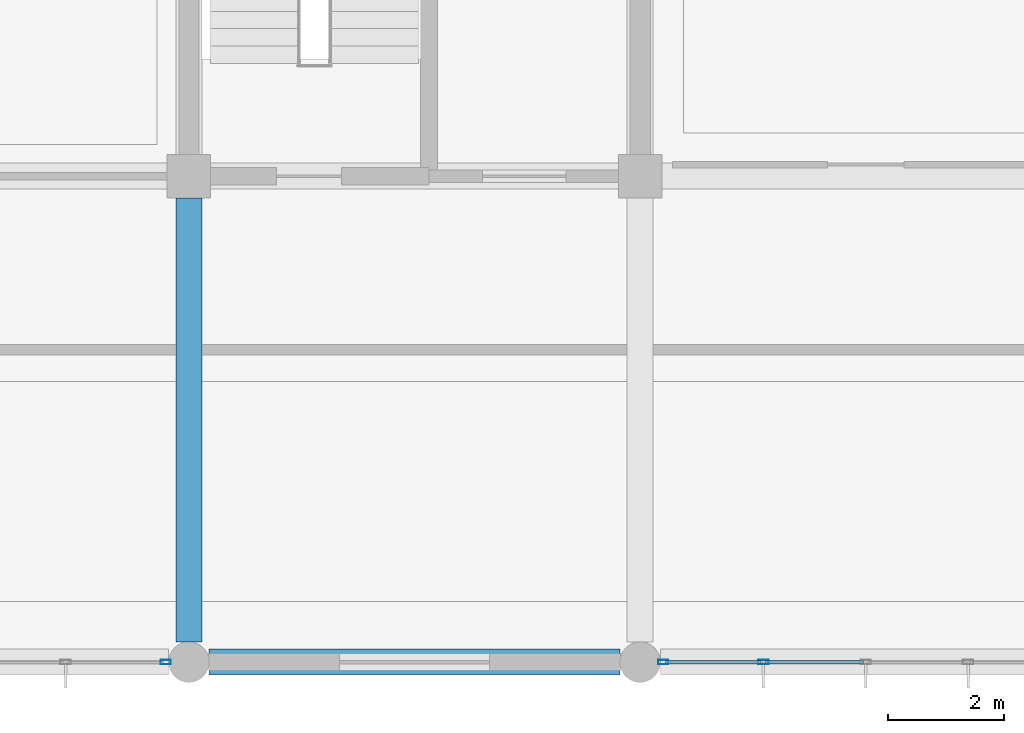
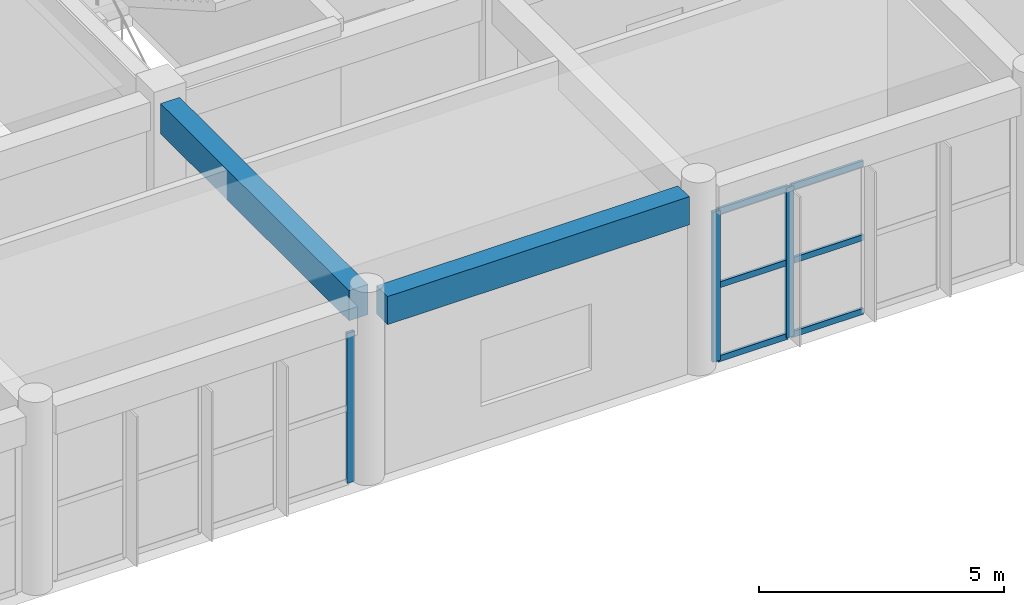
# One storey, part 27 of 167: 9 members, 2 beams, 2 elements without a shape of their own.
"""IFC4 building model written with IfcOpenShell, lengths in metres."""

from ifc_helpers import new_model, si_unit, direction, frame, origin, origin_2d, place, context, subcontext, project, spatial, rectangle, hollow_rectangle, extrude, material, layer, layer_set, material_profile, profile_set, type_object, element, aggregate, save


model = new_model("IFC4")

# Units and contexts
model_context = context("Model", 3, precision=1e-05, world=origin(), true_north=direction((0.0, 1.0)))
body_context = subcontext(model_context, "Body", "Model", "MODEL_VIEW")
ifc_project = project(units=[si_unit("LENGTHUNIT", "METRE"), si_unit("AREAUNIT", "SQUARE_METRE"), si_unit("VOLUMEUNIT", "CUBIC_METRE"), si_unit("PLANEANGLEUNIT", "RADIAN"), si_unit("MASSUNIT", "GRAM", prefix="KILO")], contexts=[model_context])

# Site, building, storey
site_placement = place(None, origin())
site = spatial("IfcSite", under=ifc_project, at=site_placement, CompositionType="ELEMENT")
building_placement = place(site_placement, origin())
building = spatial("IfcBuilding", under=site, at=building_placement, Name="Zizhar Promenade General Hospital", CompositionType="ELEMENT")
storey_placement = place(building_placement, frame((0.0, 0.0, 9.60009765625)))
storey = spatial("IfcBuildingStorey", under=building, at=storey_placement, Name="L02", CompositionType="ELEMENT", Elevation=9.60009765625)

# Beams
ifc_material_1 = material(Name="Concrete C35/45", Category="concrete")
ifc_material_profile_1 = material_profile(ifc_material_1, rectangle(XDim=0.449951171875, YDim=0.699951171875, at=origin_2d()))
ifc_profile_set_1 = profile_set([ifc_material_profile_1], Name="Concrete C35/45")
beam_type_1 = type_object("IfcBeamType", Name="BM-RC-450x700", PredefinedType="BEAM", material=ifc_profile_set_1)
beam_1_placement = place(storey_placement, frame((78.35009765625, 0.0, 4.119873046875), z_axis=(1.0, 0.0, 0.0), x_axis=(0.0, 1.0, 0.0)))
element("IfcBeam", 1, at=beam_1_placement, inside=storey, type_object=beam_type_1, Name="Grid Beam X L02 (10-0)", PredefinedType="BEAM", context=body_context, shape_type="SweptSolid", body=[
    extrude(rectangle(XDim=0.449951171875, YDim=0.699951171875, at=origin_2d()), origin(), (0.0, 0.0, 1.0), 7.099853515625),
])
ifc_material_2 = material(Name="Concrete C35/45", Category="concrete")
ifc_material_profile_2 = material_profile(ifc_material_2, rectangle(XDim=0.449951171875, YDim=0.75, at=origin_2d()))
ifc_profile_set_2 = profile_set([ifc_material_profile_2], Name="Concrete C35/45")
beam_type_2 = type_object("IfcBeamType", Name="BM-RC-450x750", PredefinedType="BEAM", material=ifc_profile_set_2)
beam_2_placement = place(storey_placement, frame((78.0, 0.35009765625, 4.094970703125), z_axis=(0.0, 1.0, 0.0), x_axis=(-1.0, 0.0, 0.0)))
element("IfcBeam", 2, at=beam_2_placement, inside=storey, type_object=beam_type_2, Name="Grid Beam Y L02 (10-0)", PredefinedType="BEAM", context=body_context, shape_type="SweptSolid", body=[
    extrude(rectangle(XDim=0.449951171875, YDim=0.75, at=origin_2d()), origin(), (0.0, 0.0, 1.0), 7.6748046875),
])

# Curtain wall, member
ifc_material_3 = material(Name="Anodised aluminium 6063-T6 and low-E glass", Category="aluminium")
ifc_layer = layer(ifc_material_3, 0.159912109375)
ifc_layer_set = layer_set([ifc_layer], Name="Anodised aluminium 6063-T6 and low-E glass")
curtain_wall_type = type_object("IfcCurtainWallType", Name="CW-DT-MOD1", PredefinedType="NOTDEFINED", material=ifc_layer_set)
curtain_wall_1_placement = place(storey_placement, origin())
curtain_wall_1 = element("IfcCurtainWall", 3, at=curtain_wall_1_placement, inside=storey, type_object=curtain_wall_type, Name="Riverfront Clinical Curtain Wall L02-8", PredefinedType="NOTDEFINED")
ifc_material_4 = material(Name="Anodised aluminium 6063-T6", Category="aluminium")
ifc_material_profile_3 = material_profile(ifc_material_4, hollow_rectangle(XDim=0.080078125, YDim=0.179931640625, WallThickness=0.0048828125, at=origin_2d()))
ifc_profile_set_3 = profile_set([ifc_material_profile_3], Name="Anodised aluminium 6063-T6")
member_type_1 = type_object("IfcMemberType", Name="CWM-ALU-180x80", PredefinedType="MULLION", material=ifc_profile_set_3)
member_1_placement = place(storey_placement, frame((77.60009765625, 0.0, 0.0), z_axis=(0.0, 0.0, 1.0), x_axis=(0.0, -1.0, 0.0)))
member_1 = element("IfcMember", 4, at=member_1_placement, type_object=member_type_1, Name="CW-07 mullion 1", PredefinedType="MULLION", context=body_context, shape_type="SweptSolid", body=[
    extrude(hollow_rectangle(XDim=0.080078125, YDim=0.179931640625, WallThickness=0.0048828125, at=origin_2d()), origin(), (0.0, 0.0, 1.0), 3.72998046875),
])
aggregate(curtain_wall_1, [member_1])

# Curtain wall, members
curtain_wall_2_placement = place(storey_placement, origin())
curtain_wall_2 = element("IfcCurtainWall", 5, at=curtain_wall_2_placement, inside=storey, type_object=curtain_wall_type, Name="Riverfront Clinical Curtain Wall L02-10", PredefinedType="NOTDEFINED")
member_2_placement = place(storey_placement, frame((87.929931640625, 0.0, 0.0), z_axis=(0.0, 0.0, 1.0), x_axis=(0.0, -1.0, 0.0)))
member_2 = element("IfcMember", 6, at=member_2_placement, type_object=member_type_1, Name="CW-07 mullion 4", PredefinedType="MULLION", context=body_context, shape_type="SweptSolid", body=[
    extrude(hollow_rectangle(XDim=0.080078125, YDim=0.179931640625, WallThickness=0.0048828125, at=origin_2d()), origin(), (0.0, 0.0, 1.0), 3.72998046875),
])
member_3_placement = place(storey_placement, frame((86.199951171875, 0.0, 0.0), z_axis=(0.0, 0.0, 1.0), x_axis=(0.0, -1.0, 0.0)))
member_3 = element("IfcMember", 7, at=member_3_placement, type_object=member_type_1, Name="CW-07 mullion 5", PredefinedType="MULLION", context=body_context, shape_type="SweptSolid", body=[
    extrude(hollow_rectangle(XDim=0.080078125, YDim=0.179931640625, WallThickness=0.0048828125, at=origin_2d()), origin(), (0.0, 0.0, 1.0), 3.72998046875),
])
ifc_material_5 = material(Name="Anodised aluminium 6063-T6", Category="aluminium")
ifc_material_profile_4 = material_profile(ifc_material_5, hollow_rectangle(XDim=0.06005859375, YDim=0.14990234375, WallThickness=0.00390625, at=origin_2d()))
ifc_profile_set_4 = profile_set([ifc_material_profile_4], Name="Anodised aluminium 6063-T6")
member_type_2 = type_object("IfcMemberType", Name="CWT-ALU-150x60", PredefinedType="USERDEFINED", material=ifc_profile_set_4)
member_4_placement = place(storey_placement, frame((89.659912109375, 0.0, 0.02978515625), z_axis=(-1.0, 0.0, 0.0), x_axis=(0.0, -1.0, 0.0)))
member_4 = element("IfcMember", 8, at=member_4_placement, type_object=member_type_2, Name="CW-07 transom 3.1", ObjectType="TRANSOM", PredefinedType="USERDEFINED", context=body_context, shape_type="SweptSolid", body=[
    extrude(hollow_rectangle(XDim=0.06005859375, YDim=0.14990234375, WallThickness=0.00390625, at=origin_2d()), origin(), (0.0, 0.0, 1.0), 1.68994140625),
])
member_5_placement = place(storey_placement, frame((89.659912109375, 0.0, 1.864990234375), z_axis=(-1.0, 0.0, 0.0), x_axis=(0.0, -1.0, 0.0)))
member_5 = element("IfcMember", 9, at=member_5_placement, type_object=member_type_2, Name="CW-07 transom 3.2", ObjectType="TRANSOM", PredefinedType="USERDEFINED", context=body_context, shape_type="SweptSolid", body=[
    extrude(hollow_rectangle(XDim=0.06005859375, YDim=0.14990234375, WallThickness=0.00390625, at=origin_2d()), origin(), (0.0, 0.0, 1.0), 1.68994140625),
])
member_6_placement = place(storey_placement, frame((89.659912109375, 0.0, 3.699951171875), z_axis=(-1.0, 0.0, 0.0), x_axis=(0.0, -1.0, 0.0)))
member_6 = element("IfcMember", 10, at=member_6_placement, type_object=member_type_2, Name="CW-07 transom 3.3", ObjectType="TRANSOM", PredefinedType="USERDEFINED", context=body_context, shape_type="SweptSolid", body=[
    extrude(hollow_rectangle(XDim=0.06005859375, YDim=0.14990234375, WallThickness=0.00390625, at=origin_2d()), origin(), (0.0, 0.0, 1.0), 1.68994140625),
])
member_7_placement = place(storey_placement, frame((87.889892578125, 0.0, 0.02978515625), z_axis=(-1.0, 0.0, 0.0), x_axis=(0.0, -1.0, 0.0)))
member_7 = element("IfcMember", 11, at=member_7_placement, type_object=member_type_2, Name="CW-07 transom 4.1", ObjectType="TRANSOM", PredefinedType="USERDEFINED", context=body_context, shape_type="SweptSolid", body=[
    extrude(hollow_rectangle(XDim=0.06005859375, YDim=0.14990234375, WallThickness=0.00390625, at=origin_2d()), origin(), (0.0, 0.0, 1.0), 1.64990234375),
])
member_8_placement = place(storey_placement, frame((87.889892578125, 0.0, 1.864990234375), z_axis=(-1.0, 0.0, 0.0), x_axis=(0.0, -1.0, 0.0)))
member_8 = element("IfcMember", 12, at=member_8_placement, type_object=member_type_2, Name="CW-07 transom 4.2", ObjectType="TRANSOM", PredefinedType="USERDEFINED", context=body_context, shape_type="SweptSolid", body=[
    extrude(hollow_rectangle(XDim=0.06005859375, YDim=0.14990234375, WallThickness=0.00390625, at=origin_2d()), origin(), (0.0, 0.0, 1.0), 1.64990234375),
])
member_9_placement = place(storey_placement, frame((87.889892578125, 0.0, 3.699951171875), z_axis=(-1.0, 0.0, 0.0), x_axis=(0.0, -1.0, 0.0)))
member_9 = element("IfcMember", 13, at=member_9_placement, type_object=member_type_2, Name="CW-07 transom 4.3", ObjectType="TRANSOM", PredefinedType="USERDEFINED", context=body_context, shape_type="SweptSolid", body=[
    extrude(hollow_rectangle(XDim=0.06005859375, YDim=0.14990234375, WallThickness=0.00390625, at=origin_2d()), origin(), (0.0, 0.0, 1.0), 1.64990234375),
])
aggregate(curtain_wall_2, [member_2, member_3, member_4, member_5, member_6, member_7, member_8, member_9])

save(model, "model.ifc")
